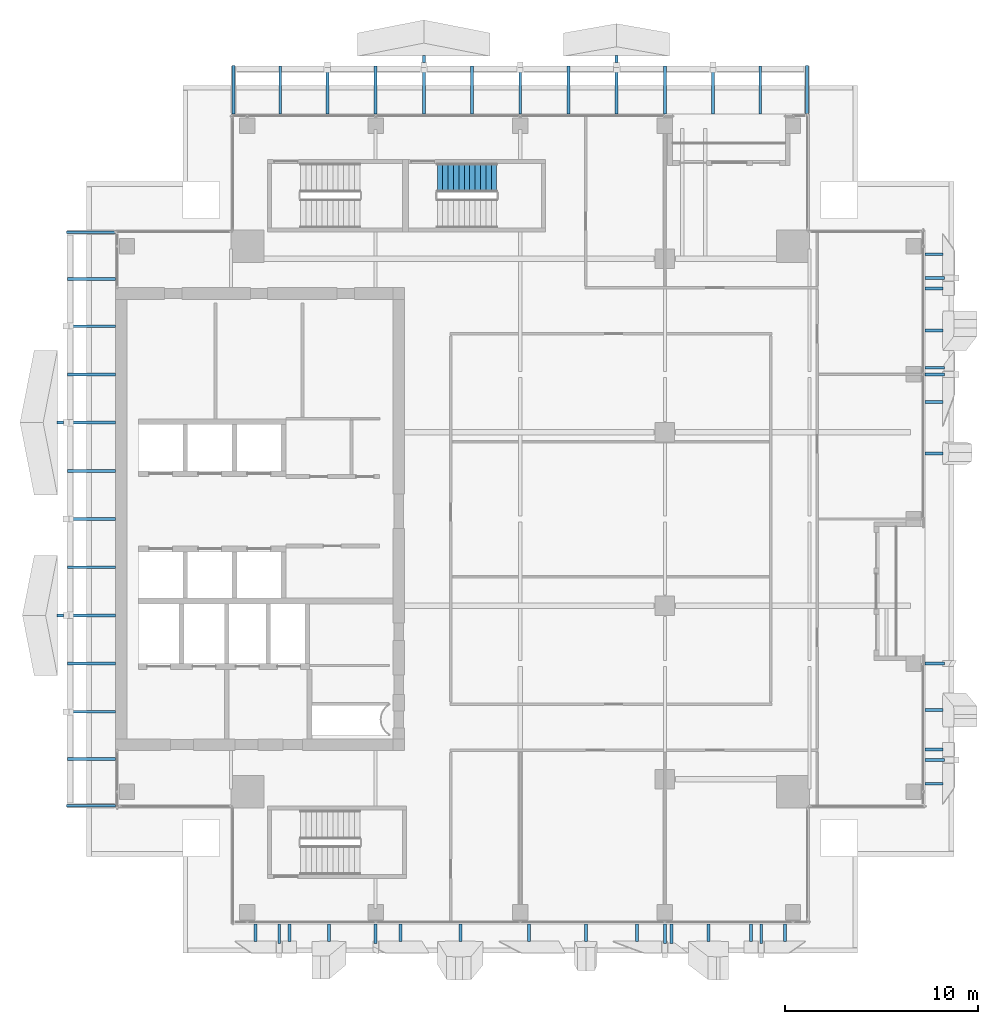
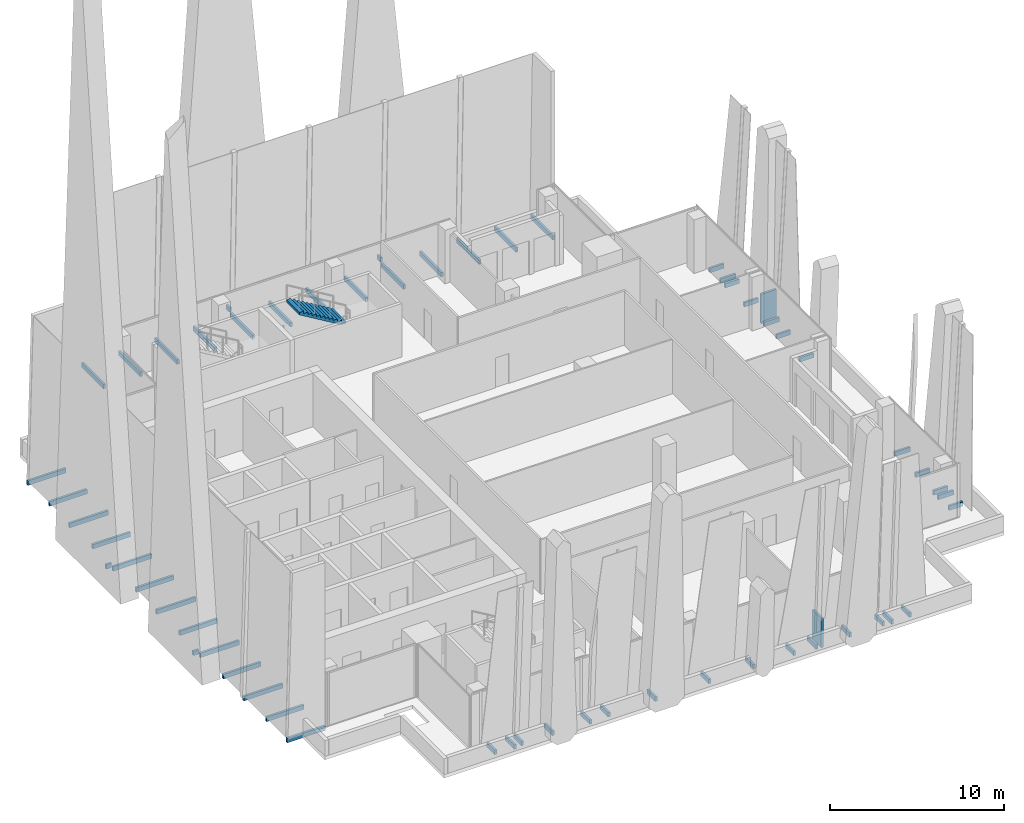
# One storey, part 28 of 32: 59 discrete accessories, 1 stair flight, 1 element without a shape of its own.
"""IFC4 building model written with IfcOpenShell, lengths in metres."""

from ifc_helpers import new_model, si_unit, direction, frame, origin, origin_2d, place, context, subcontext, project, spatial, polyline, rectangle, outline, extrude, source, transform, mapped, material, type_object, element, aggregate, save


model = new_model("IFC4")

# Units and contexts
model_context = context("Model", 3, precision=1e-05, world=origin(), true_north=direction((0.0, 1.0)))
body_context = subcontext(model_context, "Body", "Model", "MODEL_VIEW")
ifc_project = project(units=[si_unit("LENGTHUNIT", "METRE"), si_unit("AREAUNIT", "SQUARE_METRE"), si_unit("VOLUMEUNIT", "CUBIC_METRE"), si_unit("PLANEANGLEUNIT", "RADIAN"), si_unit("MASSUNIT", "GRAM", prefix="KILO")], contexts=[model_context])

# Site, building, storey
site_placement = place(None, origin())
site = spatial("IfcSite", under=ifc_project, at=site_placement, CompositionType="ELEMENT")
building_placement = place(site_placement, origin())
building = spatial("IfcBuilding", under=site, at=building_placement, Name="Khomas Fold Tower", CompositionType="ELEMENT")
storey_placement = place(building_placement, frame((0.0, 0.0, 282.199951171875)))
storey = spatial("IfcBuildingStorey", under=building, at=storey_placement, Name="L63", CompositionType="ELEMENT", Elevation=282.199951171875)

# Stair, stair flight
ifc_material_1 = material(Name="Concrete C40/50", Category="concrete")
stair_type = type_object("IfcStairType", Name="Stair ST3", PredefinedType="HALF_TURN_STAIR", material=ifc_material_1)
stair_placement = place(storey_placement, origin())
stair = element("IfcStair", 1, at=stair_placement, inside=storey, type_object=stair_type, Name="L63 ST3", PredefinedType="HALF_TURN_STAIR")
ifc_material_2 = material(Name="Concrete C40/50", Category="concrete")
stair_flight_type = type_object("IfcStairFlightType", Name="Stair flight 1500 ST3", PredefinedType="STRAIGHT", material=ifc_material_2)
shared_shape_1 = source(origin(), body_context, "Body", "SweptSolid", [
    extrude(outline(polyline([(0.0, 0.0), (0.0, 0.012939453125), (0.0, 0.025634765625), (0.0, 0.03857421875), (0.0, 0.05126953125), (0.0, 0.064208984375), (0.0, 0.076904296875), (0.0, 0.08984375), (0.0, 0.1025390625), (0.0, 0.115478515625), (0.0, 0.128173828125), (0.0, 0.14111328125), (0.0, 0.15380859375), (0.0, 0.166748046875), (0.280029296875, 0.166748046875), (0.280029296875, 0.333251953125), (0.56005859375, 0.333251953125), (0.56005859375, 0.5), (0.840087890625, 0.5), (0.840087890625, 0.666748046875), (1.1201171875, 0.666748046875), (1.1201171875, 0.833251953125), (1.39990234375, 0.833251953125), (1.39990234375, 1.0), (1.679931640625, 1.0), (1.679931640625, 1.166748046875), (1.9599609375, 1.166748046875), (1.9599609375, 1.333251953125), (2.239990234375, 1.333251953125), (2.239990234375, 1.5), (2.52001953125, 1.5), (2.52001953125, 1.666748046875), (2.800048828125, 1.666748046875), (2.800048828125, 1.833251953125), (3.080078125, 1.833251953125), (3.080078125, 2.0), (3.080078125, 1.973876953125), (3.080078125, 1.947509765625), (3.080078125, 1.92138671875), (3.080078125, 1.89501953125), (3.080078125, 1.868896484375), (3.080078125, 1.842529296875), (3.080078125, 1.81640625), (3.080078125, 1.7900390625), (3.080078125, 1.763916015625), (3.080078125, 1.737548828125), (3.080078125, 1.71142578125), (3.080078125, 1.68505859375), (3.080078125, 1.658935546875), (0.29296875, 0.0), (0.0, 0.0)])), frame((0.0, 0.75, 0.0), z_axis=(0.0, -1.0, 0.0), x_axis=(1.0, 0.0, 0.0)), (0.0, 0.0, 1.0), 1.5),
])
stair_flight_placement = place(storey_placement, frame((25.780029296875, 44.699951171875, 2.0), z_axis=(0.0, 0.0, 1.0), x_axis=(-1.0, 0.0, 0.0)))
stair_flight = element("IfcStairFlight", 2, at=stair_flight_placement, type_object=stair_flight_type, Name="ST3 flight 2", NumberOfRisers=12, NumberOfTreads=11, PredefinedType="STRAIGHT", RiserHeight=0.166666667, TreadLength=0.28, context=body_context, shape_type="MappedRepresentation", body=[
    mapped(shared_shape_1, transform((0.0, 0.0, 0.0))),
])
aggregate(stair, [stair_flight])

# Discrete accessories
ifc_material_3 = material(Name="Stainless steel", Category="steel")
discrete_accessory_type = type_object("IfcDiscreteAccessoryType", Name="SK-Stainless steel stone bracket", PredefinedType="BRACKET", material=ifc_material_3)
shared_shape_2 = source(origin(), body_context, "Body", "SweptSolid", [
    extrude(rectangle(XDim=0.926513671875, YDim=0.14990234375, at=origin_2d()), origin(), (0.0, 0.0, 1.0), 0.31005859375),
])
for number, where, z_axis, x_axis, name in (
    (3, (17.082763671875, 5.53662109375, -0.25), (0.0, 0.0, 1.0), (0.0, -1.0, 0.0), "Stone bracket L63 SS03-1-1"),
    (4, (23.89697265625, 5.53662109375, -0.25), (0.0, 0.0, 1.0), (0.0, -1.0, 0.0), "Stone bracket L63 SS06-2-1"),
    (5, (30.40185546875, 5.53662109375, -0.25), (0.0, 0.0, 1.0), (0.0, -1.0, 0.0), "Stone bracket L63 SS09-3-1"),
    (6, (36.76904296875, 5.53662109375, -0.25), (0.0, 0.0, 1.0), (0.0, -1.0, 0.0), "Stone bracket L63 SS12-4-1"),
    (7, (48.46337890625, 17.082763671875, -0.25), (0.0, 0.0, 1.0), (1.0, 0.0, 0.0), "Stone bracket L63 ES03-1-1"),
    (8, (48.46337890625, 30.404052734375, -0.25), (0.0, 0.0, 1.0), (1.0, 0.0, 0.0), "Stone bracket L63 ES09-2-1"),
    (9, (48.46337890625, 36.76904296875, -0.25), (0.0, 0.0, 1.0), (1.0, 0.0, 0.0), "Stone bracket L63 ES12-3-1"),
    (10, (13.265380859375, 5.53662109375, -0.25), (0.0, 0.0, 1.0), (0.0, -1.0, 0.0), "Stone bracket L63 SG098-1-1"),
    (11, (15.034912109375, 5.53662109375, -0.25), (0.0, 0.0, 1.0), (0.0, -1.0, 0.0), "Stone bracket L63 SG099-3-1"),
    (12, (20.7861328125, 5.53662109375, -0.25), (0.0, 0.0, 1.0), (0.0, -1.0, 0.0), "Stone bracket L63 SG100-5-1"),
    (13, (27.451416015625, 5.53662109375, -0.25), (0.0, 0.0, 1.0), (0.0, -1.0, 0.0), "Stone bracket L63 SG101-6-1"),
    (14, (33.06591796875, 5.53662109375, -0.25), (0.0, 0.0, 1.0), (0.0, -1.0, 0.0), "Stone bracket L63 SG102-7-1"),
    (15, (38.965087890625, 5.53662109375, -0.25), (0.0, 0.0, 1.0), (0.0, -1.0, 0.0), "Stone bracket L63 SG103-10-1"),
    (16, (40.734619140625, 5.53662109375, -0.25), (0.0, 0.0, 1.0), (0.0, -1.0, 0.0), "Stone bracket L63 SG104-12-1"),
    (17, (48.46337890625, 13.265380859375, -0.25), (0.0, 0.0, 1.0), (1.0, 0.0, 0.0), "Stone bracket L63 EG098-1-1"),
    (18, (48.46337890625, 15.034912109375, -0.25), (0.0, 0.0, 1.0), (1.0, 0.0, 0.0), "Stone bracket L63 EG099-3-1"),
    (19, (48.46337890625, 33.06591796875, -0.25), (0.0, 0.0, 1.0), (1.0, 0.0, 0.0), "Stone bracket L63 EG102-5-1"),
    (20, (48.46337890625, 38.965087890625, -0.25), (0.0, 0.0, 1.0), (1.0, 0.0, 0.0), "Stone bracket L63 EG103-8-1"),
    (21, (48.46337890625, 40.734619140625, -0.25), (0.0, 0.0, 1.0), (1.0, 0.0, 0.0), "Stone bracket L63 EG104-10-1"),
):
    element("IfcDiscreteAccessory", number, at=place(storey_placement, frame(where, z_axis=z_axis, x_axis=x_axis)), inside=storey, type_object=discrete_accessory_type, Name=name, PredefinedType="BRACKET", context=body_context, shape_type="MappedRepresentation", body=[
        mapped(shared_shape_2, transform((0.0, 0.0, 0.0))),
    ])
shared_shape_3 = source(origin(), body_context, "Body", "SweptSolid", [
    extrude(rectangle(XDim=1.021484375, YDim=0.14990234375, at=origin_2d()), origin(), (0.0, 0.0, 1.0), 0.31005859375),
])
for number, where, z_axis, x_axis, name in (
    (22, (14.5, 5.4892578125, -0.25), (0.0, 0.0, 1.0), (0.0, -1.0, 0.0), "Stone bracket L63 SM099-2-1"),
    (23, (19.5, 5.4892578125, -0.25), (0.0, 0.0, 1.0), (0.0, -1.0, 0.0), "Stone bracket L63 SM100-4-1"),
    (24, (34.5, 5.4892578125, -0.25), (0.0, 0.0, 1.0), (0.0, -1.0, 0.0), "Stone bracket L63 SM103-8-1"),
    (25, (39.5, 5.4892578125, -0.25), (0.0, 0.0, 1.0), (0.0, -1.0, 0.0), "Stone bracket L63 SM104-11-1"),
    (26, (48.5107421875, 14.5, -0.25), (0.0, 0.0, 1.0), (1.0, 0.0, 0.0), "Stone bracket L63 EM099-2-1"),
    (27, (48.5107421875, 19.5, -0.25), (0.0, 0.0, 1.0), (1.0, 0.0, 0.0), "Stone bracket L63 EM100-4-1"),
    (28, (48.5107421875, 34.5, -0.25), (0.0, 0.0, 1.0), (1.0, 0.0, 0.0), "Stone bracket L63 EM103-6-1"),
    (29, (48.5107421875, 39.5, -0.25), (0.0, 0.0, 1.0), (1.0, 0.0, 0.0), "Stone bracket L63 EM104-9-1"),
):
    element("IfcDiscreteAccessory", number, at=place(storey_placement, frame(where, z_axis=z_axis, x_axis=x_axis)), inside=storey, type_object=discrete_accessory_type, Name=name, PredefinedType="BRACKET", context=body_context, shape_type="MappedRepresentation", body=[
        mapped(shared_shape_3, transform((0.0, 0.0, 0.0))),
    ])
shared_shape_4 = source(origin(), body_context, "Body", "SweptSolid", [
    extrude(rectangle(XDim=1.018310546875, YDim=0.14990234375, at=origin_2d()), origin(), (0.0, 0.0, 1.0), 2.06005859375),
])
for number, where, z_axis, x_axis, name in (
    (30, (34.847412109375, 5.490966796875, -0.25), (0.0, 0.0, 1.0), (0.0, -1.0, 0.0), "Stone bracket L63 SG103-9-1"),
    (31, (48.509033203125, 34.847412109375, -0.25), (0.0, 0.0, 1.0), (1.0, 0.0, 0.0), "Stone bracket L63 EG103-7-1"),
):
    element("IfcDiscreteAccessory", number, at=place(storey_placement, frame(where, z_axis=z_axis, x_axis=x_axis)), inside=storey, type_object=discrete_accessory_type, Name=name, PredefinedType="BRACKET", context=body_context, shape_type="MappedRepresentation", body=[
        mapped(shared_shape_4, transform((0.0, 0.0, 0.0))),
    ])
shared_shape_5 = source(origin(), body_context, "Body", "SweptSolid", [
    extrude(rectangle(XDim=2.492431640625, YDim=0.14990234375, at=origin_2d()), origin(), (0.0, 0.0, 1.0), 0.31005859375),
])
for number, where, z_axis, x_axis, name in (
    (32, (14.550048828125, 49.24609375, -0.25), (0.0, 0.0, 1.0), (0.0, 1.0, 0.0), "Stone bracket L63 PLNG01"),
    (33, (19.5, 49.24609375, -0.25), (0.0, 0.0, 1.0), (0.0, 1.0, 0.0), "Stone bracket L63 PLNG03"),
    (34, (24.5, 49.24609375, -0.25), (0.0, 0.0, 1.0), (0.0, 1.0, 0.0), "Stone bracket L63 PLNG05"),
    (35, (29.5, 49.24609375, -0.25), (0.0, 0.0, 1.0), (0.0, 1.0, 0.0), "Stone bracket L63 PLNG07"),
    (36, (34.5, 49.24609375, -0.25), (0.0, 0.0, 1.0), (0.0, 1.0, 0.0), "Stone bracket L63 PLNG09"),
    (37, (39.449951171875, 49.24609375, -0.25), (0.0, 0.0, 1.0), (0.0, 1.0, 0.0), "Stone bracket L63 PLNG11"),
    (38, (4.75390625, 14.550048828125, -0.25), (0.0, 0.0, 1.0), (-1.0, 0.0, 0.0), "Stone bracket L63 PLWG01"),
    (39, (4.75390625, 19.5, -0.25), (0.0, 0.0, 1.0), (-1.0, 0.0, 0.0), "Stone bracket L63 PLWG03"),
    (40, (4.75390625, 24.5, -0.25), (0.0, 0.0, 1.0), (-1.0, 0.0, 0.0), "Stone bracket L63 PLWG05"),
    (41, (4.75390625, 29.5, -0.25), (0.0, 0.0, 1.0), (-1.0, 0.0, 0.0), "Stone bracket L63 PLWG07"),
    (42, (4.75390625, 34.5, -0.25), (0.0, 0.0, 1.0), (-1.0, 0.0, 0.0), "Stone bracket L63 PLWG09"),
    (43, (4.75390625, 39.449951171875, -0.25), (0.0, 0.0, 1.0), (-1.0, 0.0, 0.0), "Stone bracket L63 PLWG11"),
):
    element("IfcDiscreteAccessory", number, at=place(storey_placement, frame(where, z_axis=z_axis, x_axis=x_axis)), inside=storey, type_object=discrete_accessory_type, Name=name, PredefinedType="BRACKET", context=body_context, shape_type="MappedRepresentation", body=[
        mapped(shared_shape_5, transform((0.0, 0.0, 0.0))),
    ])
shared_shape_6 = source(origin(), body_context, "Body", "SweptSolid", [
    extrude(rectangle(XDim=2.58740234375, YDim=0.14990234375, at=origin_2d()), origin(), (0.0, 0.0, 1.0), 0.31005859375),
])
for number, where, z_axis, x_axis, name in (
    (44, (17.0, 49.293701171875, -0.25), (0.0, 0.0, 1.0), (0.0, 1.0, 0.0), "Stone bracket L63 PLNM02"),
    (45, (22.0, 49.293701171875, -0.25), (0.0, 0.0, 1.0), (0.0, 1.0, 0.0), "Stone bracket L63 PLNM04"),
    (46, (27.0, 49.293701171875, -0.25), (0.0, 0.0, 1.0), (0.0, 1.0, 0.0), "Stone bracket L63 PLNM06"),
    (47, (32.0, 49.293701171875, -0.25), (0.0, 0.0, 1.0), (0.0, 1.0, 0.0), "Stone bracket L63 PLNM08"),
    (48, (37.0, 49.293701171875, -0.25), (0.0, 0.0, 1.0), (0.0, 1.0, 0.0), "Stone bracket L63 PLNM10"),
    (49, (4.706298828125, 17.0, -0.25), (0.0, 0.0, 1.0), (-1.0, 0.0, 0.0), "Stone bracket L63 PLWM02"),
    (50, (4.706298828125, 22.0, -0.25), (0.0, 0.0, 1.0), (-1.0, 0.0, 0.0), "Stone bracket L63 PLWM04"),
    (51, (4.706298828125, 27.0, -0.25), (0.0, 0.0, 1.0), (-1.0, 0.0, 0.0), "Stone bracket L63 PLWM06"),
    (52, (4.706298828125, 32.0, -0.25), (0.0, 0.0, 1.0), (-1.0, 0.0, 0.0), "Stone bracket L63 PLWM08"),
    (53, (4.706298828125, 37.0, -0.25), (0.0, 0.0, 1.0), (-1.0, 0.0, 0.0), "Stone bracket L63 PLWM10"),
):
    element("IfcDiscreteAccessory", number, at=place(storey_placement, frame(where, z_axis=z_axis, x_axis=x_axis)), inside=storey, type_object=discrete_accessory_type, Name=name, PredefinedType="BRACKET", context=body_context, shape_type="MappedRepresentation", body=[
        mapped(shared_shape_6, transform((0.0, 0.0, 0.0))),
    ])
shared_shape_7 = source(origin(), body_context, "Body", "SweptSolid", [
    extrude(rectangle(XDim=2.532470703125, YDim=0.14990234375, at=origin_2d()), origin(), (0.0, 0.0, 1.0), 0.31005859375),
])
for number, where, z_axis, x_axis, name in (
    (54, (12.125, 49.26611328125, -0.25), (0.0, 0.0, 1.0), (0.0, 1.0, 0.0), "Stone bracket L63 PLNR1"),
    (55, (41.875, 49.26611328125, -0.25), (0.0, 0.0, 1.0), (0.0, 1.0, 0.0), "Stone bracket L63 PLNR2"),
    (56, (4.73388671875, 12.125, -0.25), (0.0, 0.0, 1.0), (-1.0, 0.0, 0.0), "Stone bracket L63 PLWR1"),
    (57, (4.73388671875, 41.875, -0.25), (0.0, 0.0, 1.0), (-1.0, 0.0, 0.0), "Stone bracket L63 PLWR2"),
):
    element("IfcDiscreteAccessory", number, at=place(storey_placement, frame(where, z_axis=z_axis, x_axis=x_axis)), inside=storey, type_object=discrete_accessory_type, Name=name, PredefinedType="BRACKET", context=body_context, shape_type="MappedRepresentation", body=[
        mapped(shared_shape_7, transform((0.0, 0.0, 0.0))),
    ])
shared_shape_8 = source(origin(), body_context, "Body", "SweptSolid", [
    extrude(rectangle(XDim=0.360107421875, YDim=0.14990234375, at=origin_2d()), origin(), (0.0, 0.0, 1.0), 0.300048828125),
])
for number, where, z_axis, x_axis, name in (
    (58, (22.0, 50.861572265625, 0.0498046875), (0.0, 0.0, 1.0), (0.0, 1.0, 0.0), "Stone bracket L63 blade NZ5-1"),
    (59, (32.0, 50.861572265625, 0.0498046875), (0.0, 0.0, 1.0), (0.0, 1.0, 0.0), "Stone bracket L63 blade NZ5-2"),
    (60, (3.138427734375, 22.0, 0.0498046875), (0.0, 0.0, 1.0), (-1.0, 0.0, 0.0), "Stone bracket L63 blade WZ5-1"),
    (61, (3.138427734375, 32.0, 0.0498046875), (0.0, 0.0, 1.0), (-1.0, 0.0, 0.0), "Stone bracket L63 blade WZ5-2"),
):
    element("IfcDiscreteAccessory", number, at=place(storey_placement, frame(where, z_axis=z_axis, x_axis=x_axis)), inside=storey, type_object=discrete_accessory_type, Name=name, PredefinedType="BRACKET", context=body_context, shape_type="MappedRepresentation", body=[
        mapped(shared_shape_8, transform((0.0, 0.0, 0.0))),
    ])

save(model, "model.ifc")
